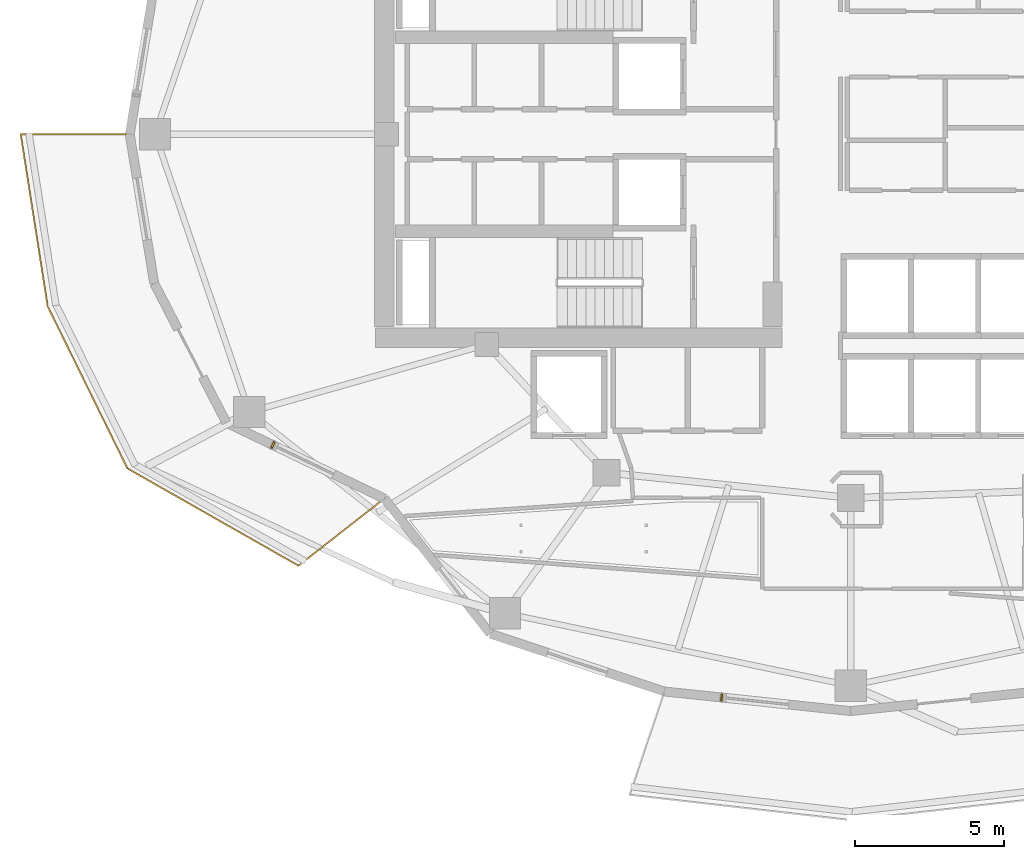
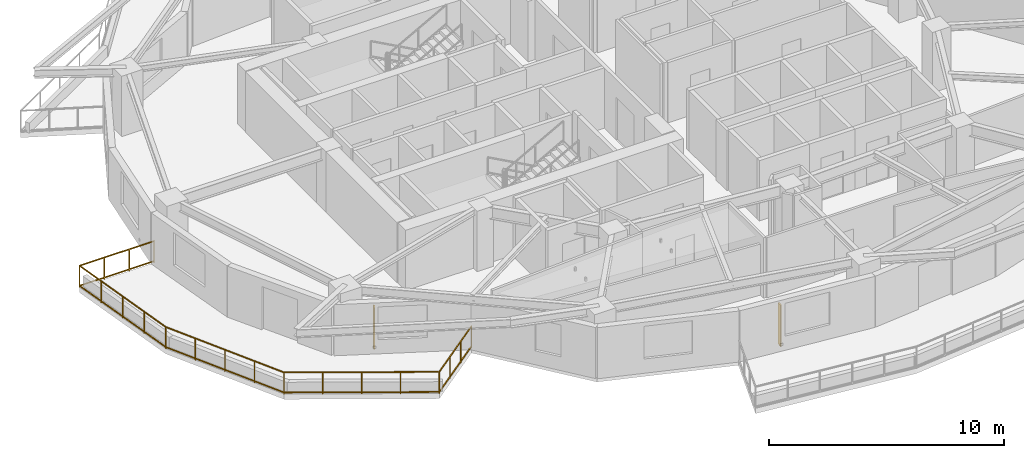
# One storey, part 12 of 17: 2 shading devices, 1 railing.
"""IFC4 building model written with IfcOpenShell, lengths in metres."""

from ifc_helpers import new_model, si_unit, direction, frame, origin, origin_2d, place, context, subcontext, project, spatial, rectangle, extrude, material, type_object, element, save


model = new_model("IFC4")

# Units and contexts
model_context = context("Model", 3, precision=1e-05, world=origin(), true_north=direction((0.0, 1.0)))
body_context = subcontext(model_context, "Body", "Model", "MODEL_VIEW")
ifc_project = project(units=[si_unit("LENGTHUNIT", "METRE"), si_unit("AREAUNIT", "SQUARE_METRE"), si_unit("VOLUMEUNIT", "CUBIC_METRE"), si_unit("PLANEANGLEUNIT", "RADIAN"), si_unit("MASSUNIT", "GRAM", prefix="KILO")], contexts=[model_context])

# Site, building, storey
site_placement = place(None, origin())
site = spatial("IfcSite", under=ifc_project, at=site_placement, CompositionType="ELEMENT")
building_placement = place(site_placement, origin())
building = spatial("IfcBuilding", under=site, at=building_placement, Name="Kolvaren Gate Tower and Convention Centre", CompositionType="ELEMENT")
storey_placement = place(building_placement, frame((0.0, 0.0, 125.699951171875)))
storey = spatial("IfcBuildingStorey", under=building, at=storey_placement, Name="L31", CompositionType="ELEMENT", Elevation=125.699951171875)

# Railing
ifc_material_1 = material(Name="Brushed Stainless Steel Grade 316L", Category="steel")
railing_type = type_object("IfcRailingType", Name="ARCH-RL-GUARD-1150", PredefinedType="GUARDRAIL", material=ifc_material_1)
railing_placement = place(storey_placement, frame((5.9375, 27.0, 0.0)))
element("IfcRailing", 1, at=railing_placement, inside=storey, type_object=railing_type, Name="Tower L31 Terrace Perimeter Guardrail GR-2", PredefinedType="GUARDRAIL", context=body_context, shape_type="SweptSolid", body=[
    extrude(rectangle(XDim=0.048095703125, YDim=0.048095703125, at=origin_2d()), frame((-0.028076171875, 0.0, 1.1259765625), z_axis=(-1.0, 0.0, 0.0), x_axis=(0.0, -1.0, 0.0)), (0.0, 0.0, 1.0), 3.603759765625),
    extrude(rectangle(XDim=0.048095703125, YDim=0.048095703125, at=origin_2d()), frame((-0.028076171875, 0.0, 0.083984375), z_axis=(-1.0, 0.0, 0.0), x_axis=(0.0, -1.0, 0.0)), (0.0, 0.0, 1.0), 3.603759765625),
    extrude(rectangle(XDim=0.048095703125, YDim=0.048095703125, at=origin_2d()), frame((-3.655517578125, -0.027587890625, 1.1259765625), z_axis=(0.154903030247, -0.987929679289, 0.0), x_axis=(0.987929679289, 0.154903030247, 0.0)), (0.0, 0.0, 1.0), 5.78955078125),
    extrude(rectangle(XDim=0.048095703125, YDim=0.048095703125, at=origin_2d()), frame((-3.655517578125, -0.027587890625, 0.083984375), z_axis=(0.154903030247, -0.987929679289, 0.0), x_axis=(0.987929679289, 0.154903030247, 0.0)), (0.0, 0.0, 1.0), 5.78955078125),
    extrude(rectangle(XDim=0.048095703125, YDim=0.048095703125, at=origin_2d()), frame((-2.741943359375, -5.80029296875, 1.1259765625), z_axis=(0.441237167293, -0.897390529368, 0.0), x_axis=(0.897390529368, 0.441237167293, 0.0)), (0.0, 0.0, 1.0), 5.999755859375),
    extrude(rectangle(XDim=0.048095703125, YDim=0.048095703125, at=origin_2d()), frame((-2.741943359375, -5.80029296875, 0.083984375), z_axis=(0.441237167293, -0.897390529368, 0.0), x_axis=(0.897390529368, 0.441237167293, 0.0)), (0.0, 0.0, 1.0), 5.999755859375),
    extrude(rectangle(XDim=0.048095703125, YDim=0.048095703125, at=origin_2d()), frame((-0.057861328125, -11.2236328125, 1.1259765625), z_axis=(0.869196694318, -0.494466486819, 0.0), x_axis=(0.494466486819, 0.869196694318, 0.0)), (0.0, 0.0, 1.0), 6.55029296875),
    extrude(rectangle(XDim=0.048095703125, YDim=0.048095703125, at=origin_2d()), frame((-0.057861328125, -11.2236328125, 0.083984375), z_axis=(0.869196694318, -0.494466486819, 0.0), x_axis=(0.494466486819, 0.869196694318, 0.0)), (0.0, 0.0, 1.0), 6.55029296875),
    extrude(rectangle(XDim=0.048095703125, YDim=0.048095703125, at=origin_2d()), frame((5.68212890625, -14.458984375, 1.1259765625), z_axis=(0.787963688807, 0.615721710776, 0.0), x_axis=(-0.615721710776, 0.787963688807, 0.0)), (0.0, 0.0, 1.0), 3.603759765625),
    extrude(rectangle(XDim=0.048095703125, YDim=0.048095703125, at=origin_2d()), frame((5.68212890625, -14.458984375, 0.083984375), z_axis=(0.787963688807, 0.615721710776, 0.0), x_axis=(-0.615721710776, 0.787963688807, 0.0)), (0.0, 0.0, 1.0), 3.603759765625),
    extrude(rectangle(XDim=0.0419921875, YDim=0.0419921875, at=origin_2d()), origin(), (0.0, 0.0, 1.0), 1.14990234375),
    extrude(rectangle(XDim=0.0419921875, YDim=0.0419921875, at=origin_2d()), frame((-3.659912109375, 0.0, 0.0)), (0.0, 0.0, 1.0), 1.14990234375),
    extrude(rectangle(XDim=0.0419921875, YDim=0.0419921875, at=origin_2d()), frame((-1.219970703125, 0.0, 0.0)), (0.0, 0.0, 1.0), 1.099853515625),
    extrude(rectangle(XDim=0.0419921875, YDim=0.0419921875, at=origin_2d()), frame((-2.43994140625, 0.0, 0.0)), (0.0, 0.0, 1.0), 1.099853515625),
    extrude(rectangle(XDim=0.0419921875, YDim=0.0419921875, at=origin_2d()), frame((-2.75439453125, -5.775146484375, 0.0)), (0.0, 0.0, 1.0), 1.14990234375),
    extrude(rectangle(XDim=0.0419921875, YDim=0.0419921875, at=origin_2d()), frame((-3.43359375, -1.44384765625, 0.0)), (0.0, 0.0, 1.0), 1.099853515625),
    extrude(rectangle(XDim=0.0419921875, YDim=0.0419921875, at=origin_2d()), frame((-3.20703125, -2.8876953125, 0.0)), (0.0, 0.0, 1.0), 1.099853515625),
    extrude(rectangle(XDim=0.0419921875, YDim=0.0419921875, at=origin_2d()), frame((-2.980712890625, -4.331298828125, 0.0)), (0.0, 0.0, 1.0), 1.099853515625),
    extrude(rectangle(XDim=0.0419921875, YDim=0.0419921875, at=origin_2d()), frame((-0.082275390625, -11.209716796875, 0.0)), (0.0, 0.0, 1.0), 1.14990234375),
    extrude(rectangle(XDim=0.0419921875, YDim=0.0419921875, at=origin_2d()), frame((-2.08642578125, -7.1337890625, 0.0)), (0.0, 0.0, 1.0), 1.099853515625),
    extrude(rectangle(XDim=0.0419921875, YDim=0.0419921875, at=origin_2d()), frame((-1.41845703125, -8.492431640625, 0.0)), (0.0, 0.0, 1.0), 1.099853515625),
    extrude(rectangle(XDim=0.0419921875, YDim=0.0419921875, at=origin_2d()), frame((-0.750244140625, -9.85107421875, 0.0)), (0.0, 0.0, 1.0), 1.099853515625),
    extrude(rectangle(XDim=0.0419921875, YDim=0.0419921875, at=origin_2d()), frame((5.659912109375, -14.476318359375, 0.0)), (0.0, 0.0, 1.0), 1.14990234375),
    extrude(rectangle(XDim=0.0419921875, YDim=0.0419921875, at=origin_2d()), frame((1.353271484375, -12.0263671875, 0.0)), (0.0, 0.0, 1.0), 1.099853515625),
    extrude(rectangle(XDim=0.0419921875, YDim=0.0419921875, at=origin_2d()), frame((2.788818359375, -12.843017578125, 0.0)), (0.0, 0.0, 1.0), 1.099853515625),
    extrude(rectangle(XDim=0.0419921875, YDim=0.0419921875, at=origin_2d()), frame((4.224365234375, -13.65966796875, 0.0)), (0.0, 0.0, 1.0), 1.099853515625),
    extrude(rectangle(XDim=0.0419921875, YDim=0.0419921875, at=origin_2d()), frame((8.543701171875, -12.222900390625, 0.0)), (0.0, 0.0, 1.0), 1.14990234375),
    extrude(rectangle(XDim=0.0419921875, YDim=0.0419921875, at=origin_2d()), frame((6.62109375, -13.72509765625, 0.0)), (0.0, 0.0, 1.0), 1.099853515625),
    extrude(rectangle(XDim=0.0419921875, YDim=0.0419921875, at=origin_2d()), frame((7.58251953125, -12.97412109375, 0.0)), (0.0, 0.0, 1.0), 1.099853515625),
])

# Shading devices
ifc_material_2 = material(Name="Kiln-Fired Bogota Terracotta Ceramic Louvre Profile", Category="masonry")
shading_device_type = type_object("IfcShadingDeviceType", Name="ARCH-SHD-FIN-180", PredefinedType="JALOUSIE", material=ifc_material_2)
for number, where, z_axis, x_axis, name in (
    (2, (10.7392578125, 16.574951171875, 0.22021484375), (0.0, 0.0, 1.0), (0.901362925045, -0.433064518696, 0.0), "Ceramic Vertical Brise-Soleil Fin FN-L31-14"),
    (3, (25.791015625, 8.1064453125, 0.22021484375), (0.0, 0.0, 1.0), (0.994499981166, -0.104736753152, 0.0), "Ceramic Vertical Brise-Soleil Fin FN-L31-17"),
):
    element("IfcShadingDevice", number, at=place(storey_placement, frame(where, z_axis=z_axis, x_axis=x_axis)), inside=storey, type_object=shading_device_type, Name=name, PredefinedType="JALOUSIE", context=body_context, shape_type="SweptSolid", body=[
        extrude(rectangle(XDim=0.06005859375, YDim=0.239990234375, at=origin_2d()), origin(), (0.0, 0.0, 1.0), 2.14990234375),
    ])

save(model, "model.ifc")
